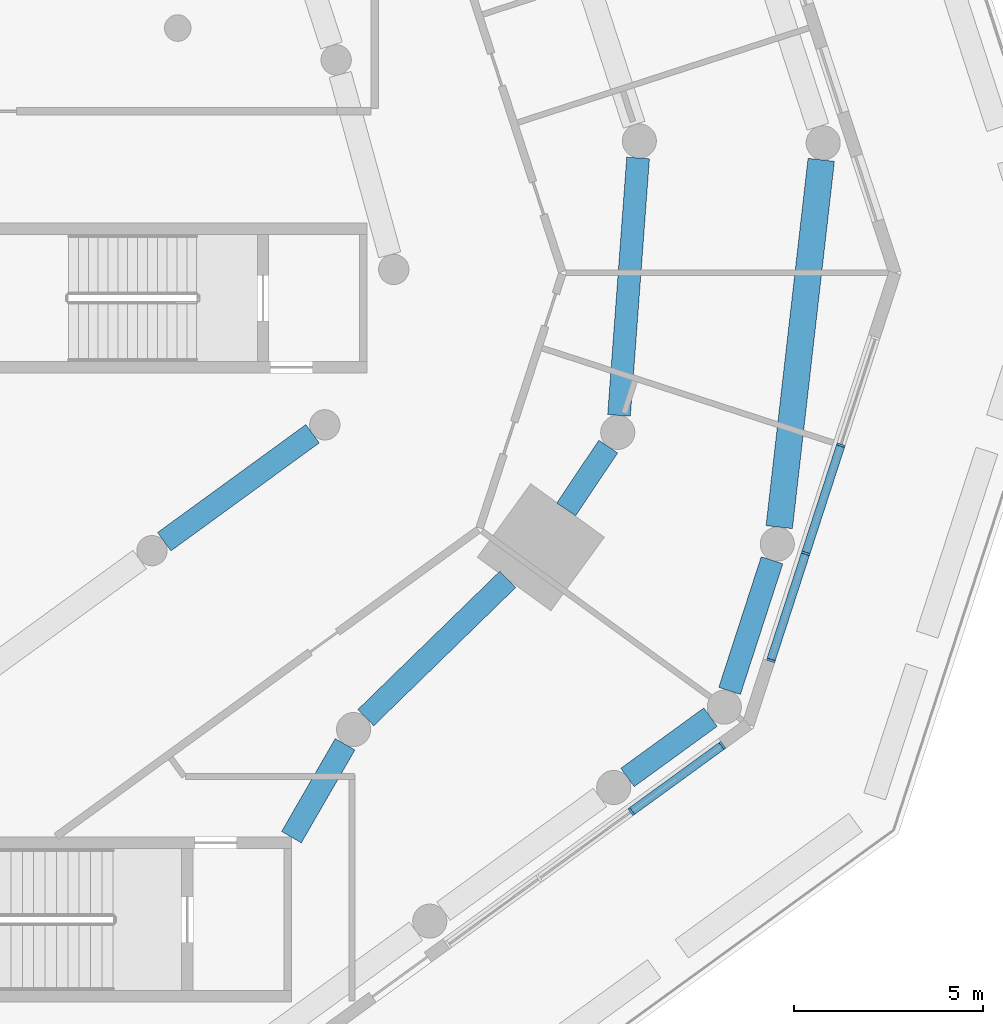
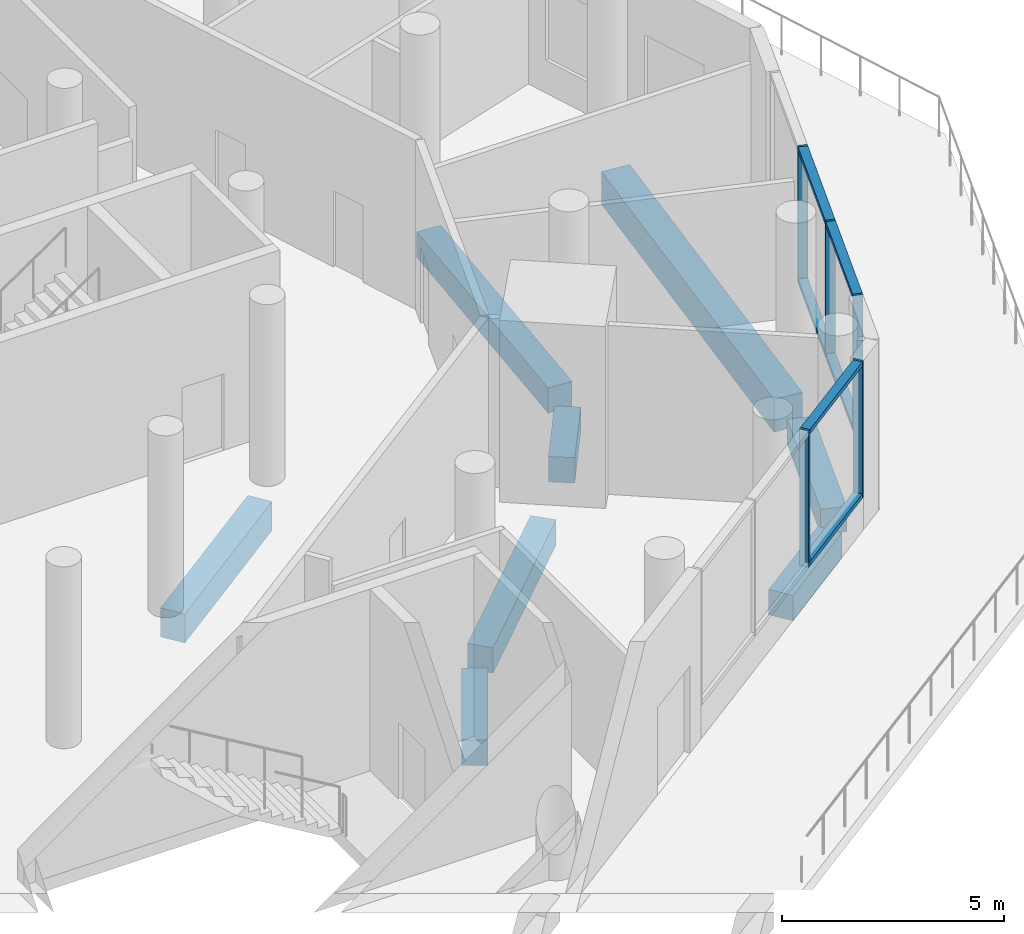
# One storey, part 5 of 19: 11 members, 8 beams, 2 elements without a shape of their own.
"""IFC4 building model written with IfcOpenShell, lengths in metres."""

from ifc_helpers import new_model, si_unit, direction, frame, origin, origin_2d, place, context, subcontext, project, spatial, rectangle, extrude, material, material_profile, profile_set, type_object, element, aggregate, save


model = new_model("IFC4")

# Units and contexts
model_context = context("Model", 3, precision=1e-05, world=origin(), true_north=direction((0.0, 1.0)))
body_context = subcontext(model_context, "Body", "Model", "MODEL_VIEW")
ifc_project = project(units=[si_unit("LENGTHUNIT", "METRE"), si_unit("AREAUNIT", "SQUARE_METRE"), si_unit("VOLUMEUNIT", "CUBIC_METRE"), si_unit("PLANEANGLEUNIT", "RADIAN"), si_unit("MASSUNIT", "GRAM", prefix="KILO")], contexts=[model_context])

# Site, building, storey
site_placement = place(None, origin())
site = spatial("IfcSite", under=ifc_project, at=site_placement, CompositionType="ELEMENT")
building_placement = place(site_placement, origin())
building = spatial("IfcBuilding", under=site, at=building_placement, Name="White Candle Pilgrim Tower", CompositionType="ELEMENT")
storey_placement = place(building_placement, frame((0.0, 0.0, 29.0)))
storey = spatial("IfcBuildingStorey", under=building, at=storey_placement, Name="L04", CompositionType="ELEMENT", Elevation=29.0)

# Curtain wall, members
ifc_material_1 = material(Name="Aluminium and glass", Category="aluminium")
curtain_wall_type = type_object("IfcCurtainWallType", Name="Curtain wall CW3 refectory and meeting glazing", PredefinedType="NOTDEFINED", material=ifc_material_1)
curtain_wall_1_placement = place(storey_placement, origin())
curtain_wall_1 = element("IfcCurtainWall", 1, at=curtain_wall_1_placement, inside=storey, type_object=curtain_wall_type, Name="Curtain wall CW3 L04 SE", PredefinedType="NOTDEFINED")
ifc_material_2 = material(Name="Aluminium", Category="aluminium")
ifc_material_profile_1 = material_profile(ifc_material_2, rectangle(XDim=0.22509765625, YDim=0.06005859375, at=origin_2d()), Name="CW3 mullion 60x225")
ifc_profile_set_1 = profile_set([ifc_material_profile_1], Name="Aluminium")
member_type_1 = type_object("IfcMemberType", Name="CW3 mullion 60x225", PredefinedType="MULLION", material=ifc_profile_set_1)
member_1_placement = place(storey_placement, frame((93.966796875, 46.32421875, 0.89990234375), z_axis=(0.0, 0.0, 1.0), x_axis=(-0.587785250217, 0.809016995883, 0.0)))
member_1 = element("IfcMember", 2, at=member_1_placement, type_object=member_type_1, Name="CW3 mullion 3", PredefinedType="MULLION", context=body_context, shape_type="SweptSolid", body=[
    extrude(rectangle(XDim=0.22509765625, YDim=0.06005859375, at=origin_2d()), origin(), (0.0, 0.0, 1.0), 3.75),
])
member_2_placement = place(storey_placement, frame((96.36962890625, 48.06982421875, 0.89990234375), z_axis=(0.0, 0.0, 1.0), x_axis=(-0.587785250217, 0.809016995883, 0.0)))
member_2 = element("IfcMember", 3, at=member_2_placement, type_object=member_type_1, Name="CW3 mullion 4", PredefinedType="MULLION", context=body_context, shape_type="SweptSolid", body=[
    extrude(rectangle(XDim=0.22509765625, YDim=0.06005859375, at=origin_2d()), origin(), (0.0, 0.0, 1.0), 3.75),
])

curtain_wall_2_placement = place(storey_placement, origin())
curtain_wall_2 = element("IfcCurtainWall", 4, at=curtain_wall_2_placement, inside=storey, type_object=curtain_wall_type, Name="Curtain wall CW3 L04 E chamfer", PredefinedType="NOTDEFINED")
member_3_placement = place(storey_placement, frame((97.651123046875, 50.315673828125, 0.89990234375), z_axis=(0.0, 0.0, 1.0), x_axis=(-0.951056528263, 0.309016957542, 0.0)))
member_3 = element("IfcMember", 5, at=member_3_placement, type_object=member_type_1, Name="CW3 mullion 1", PredefinedType="MULLION", context=body_context, shape_type="SweptSolid", body=[
    extrude(rectangle(XDim=0.22509765625, YDim=0.06005859375, at=origin_2d()), origin(), (0.0, 0.0, 1.0), 3.75),
])
member_4_placement = place(storey_placement, frame((98.56884765625, 53.14013671875, 0.89990234375), z_axis=(0.0, 0.0, 1.0), x_axis=(-0.951056528263, 0.309016957542, 0.0)))
member_4 = element("IfcMember", 6, at=member_4_placement, type_object=member_type_1, Name="CW3 mullion 2", PredefinedType="MULLION", context=body_context, shape_type="SweptSolid", body=[
    extrude(rectangle(XDim=0.22509765625, YDim=0.06005859375, at=origin_2d()), origin(), (0.0, 0.0, 1.0), 3.75),
])
member_5_placement = place(storey_placement, frame((99.495849609375, 55.993408203125, 0.89990234375), z_axis=(0.0, 0.0, 1.0), x_axis=(-0.951056528263, 0.309016957542, 0.0)))
member_5 = element("IfcMember", 7, at=member_5_placement, type_object=member_type_1, Name="CW3 mullion 3", PredefinedType="MULLION", context=body_context, shape_type="SweptSolid", body=[
    extrude(rectangle(XDim=0.22509765625, YDim=0.06005859375, at=origin_2d()), origin(), (0.0, 0.0, 1.0), 3.75),
])

# Member
ifc_material_profile_2 = material_profile(ifc_material_2, rectangle(XDim=0.22509765625, YDim=0.1201171875, at=origin_2d()), Name="CW3 transom 120x225")
ifc_profile_set_2 = profile_set([ifc_material_profile_2], Name="Aluminium")
member_type_2 = type_object("IfcMemberType", Name="CW3 transom 120x225", PredefinedType="USERDEFINED", material=ifc_profile_set_2)
member_6_placement = place(storey_placement, frame((93.9912109375, 46.341796875, 0.9599609375), z_axis=(0.809018973085, 0.587782528822, 0.0), x_axis=(-0.587782528822, 0.809018973085, 0.0)))
member_6 = element("IfcMember", 8, at=member_6_placement, type_object=member_type_2, Name="CW3 transom 3.1", ObjectType="TRANSOM", PredefinedType="USERDEFINED", context=body_context, shape_type="SweptSolid", body=[
    extrude(rectangle(XDim=0.22509765625, YDim=0.1201171875, at=origin_2d()), origin(), (0.0, 0.0, 1.0), 2.909912109375),
])

member_7_placement = place(storey_placement, frame((93.9912109375, 46.341796875, 4.590087890625), z_axis=(0.809018973085, 0.587782528822, 0.0), x_axis=(-0.587782528822, 0.809018973085, 0.0)))
member_7 = element("IfcMember", 9, at=member_7_placement, type_object=member_type_2, Name="CW3 transom 3.2", ObjectType="TRANSOM", PredefinedType="USERDEFINED", context=body_context, shape_type="SweptSolid", body=[
    extrude(rectangle(XDim=0.22509765625, YDim=0.1201171875, at=origin_2d()), origin(), (0.0, 0.0, 1.0), 2.909912109375),
])

aggregate(curtain_wall_1, [member_1, member_2, member_6, member_7])

member_8_placement = place(storey_placement, frame((97.660400390625, 50.34423828125, 0.9599609375), z_axis=(0.308995011864, 0.951063658565, 0.0), x_axis=(-0.951063658565, 0.308995011864, 0.0)))
member_8 = element("IfcMember", 10, at=member_8_placement, type_object=member_type_2, Name="CW3 transom 1.1", ObjectType="TRANSOM", PredefinedType="USERDEFINED", context=body_context, shape_type="SweptSolid", body=[
    extrude(rectangle(XDim=0.22509765625, YDim=0.1201171875, at=origin_2d()), origin(), (0.0, 0.0, 1.0), 2.909912109375),
])

member_9_placement = place(storey_placement, frame((97.660400390625, 50.34423828125, 4.590087890625), z_axis=(0.308995011864, 0.951063658565, 0.0), x_axis=(-0.951063658565, 0.308995011864, 0.0)))
member_9 = element("IfcMember", 11, at=member_9_placement, type_object=member_type_2, Name="CW3 transom 1.2", ObjectType="TRANSOM", PredefinedType="USERDEFINED", context=body_context, shape_type="SweptSolid", body=[
    extrude(rectangle(XDim=0.22509765625, YDim=0.1201171875, at=origin_2d()), origin(), (0.0, 0.0, 1.0), 2.909912109375),
])

member_10_placement = place(storey_placement, frame((98.578125, 53.168701171875, 0.9599609375), z_axis=(0.30899406435, 0.951063966406, 0.0), x_axis=(-0.951063966406, 0.30899406435, 0.0)))
member_10 = element("IfcMember", 12, at=member_10_placement, type_object=member_type_2, Name="CW3 transom 2.1", ObjectType="TRANSOM", PredefinedType="USERDEFINED", context=body_context, shape_type="SweptSolid", body=[
    extrude(rectangle(XDim=0.22509765625, YDim=0.1201171875, at=origin_2d()), origin(), (0.0, 0.0, 1.0), 2.93994140625),
])

member_11_placement = place(storey_placement, frame((98.578125, 53.168701171875, 4.590087890625), z_axis=(0.30899406435, 0.951063966406, 0.0), x_axis=(-0.951063966406, 0.30899406435, 0.0)))
member_11 = element("IfcMember", 13, at=member_11_placement, type_object=member_type_2, Name="CW3 transom 2.2", ObjectType="TRANSOM", PredefinedType="USERDEFINED", context=body_context, shape_type="SweptSolid", body=[
    extrude(rectangle(XDim=0.22509765625, YDim=0.1201171875, at=origin_2d()), origin(), (0.0, 0.0, 1.0), 2.93994140625),
])

aggregate(curtain_wall_2, [member_3, member_4, member_5, member_8, member_9, member_10, member_11])

# Beams
ifc_material_3 = material(Name="Concrete C50/60", Category="concrete")
ifc_material_profile_3 = material_profile(ifc_material_3, rectangle(XDim=0.60009765625, YDim=0.800048828125, at=origin_2d()), Name="RC-BM 600x800")
ifc_profile_set_3 = profile_set([ifc_material_profile_3], Name="Concrete C50/60")
beam_type_1 = type_object("IfcBeamType", Name="Ring beam RC-BM 600x800 C50/60", PredefinedType="BEAM", material=ifc_profile_set_3)
beam_1_placement = place(storey_placement, frame((81.643310546875, 53.4453125, -0.75), z_axis=(0.808428473545, 0.588594430115, 0.0), x_axis=(-0.588594430115, 0.808428473545, 0.0)))
element("IfcBeam", 14, at=beam_1_placement, inside=storey, type_object=beam_type_1, Name="L04 ring beam R07", PredefinedType="BEAM", context=body_context, shape_type="SweptSolid", body=[
    extrude(rectangle(XDim=0.60009765625, YDim=0.800048828125, at=origin_2d()), origin(), (0.0, 0.0, 1.0), 4.841064453125),
])
ifc_material_profile_4 = material_profile(ifc_material_3, rectangle(XDim=0.60009765625, YDim=0.699951171875, at=origin_2d()), Name="RC-BM 600x700")
ifc_profile_set_4 = profile_set([ifc_material_profile_4], Name="Concrete C50/60")
beam_type_2 = type_object("IfcBeamType", Name="Spandrel beam RC-BM 600x700 C50/60", PredefinedType="BEAM", material=ifc_profile_set_4)
beam_2_placement = place(storey_placement, frame((86.4150390625, 48.100341796875, -0.699951171875), z_axis=(-0.500073465784, -0.865982984139, 0.0), x_axis=(0.865982984139, -0.500073465784, 0.0)))
element("IfcBeam", 15, at=beam_2_placement, inside=storey, type_object=beam_type_2, Name="L04 spandrel beam T05", PredefinedType="BEAM", context=body_context, shape_type="SweptSolid", body=[
    extrude(rectangle(XDim=0.60009765625, YDim=0.699951171875, at=origin_2d()), origin(), (0.0, 0.0, 1.0), 2.82958984375),
])
beam_3_placement = place(storey_placement, frame((86.96240234375, 48.8037109375, -0.699951171875), z_axis=(0.716431871675, 0.697657059914, 0.0), x_axis=(-0.697657059914, 0.716431871675, 0.0)))
element("IfcBeam", 16, at=beam_3_placement, inside=storey, type_object=beam_type_2, Name="L04 spandrel beam T06", PredefinedType="BEAM", context=body_context, shape_type="SweptSolid", body=[
    extrude(rectangle(XDim=0.60009765625, YDim=0.699951171875, at=origin_2d()), origin(), (0.0, 0.0, 1.0), 5.2275390625),
])
beam_4_placement = place(storey_placement, frame((92.248291015625, 54.297607421875, -0.699951171875), z_axis=(0.556617573138, 0.830768847077, 0.0), x_axis=(-0.830768847077, 0.556617573138, 0.0)))
element("IfcBeam", 17, at=beam_4_placement, inside=storey, type_object=beam_type_2, Name="L04 spandrel beam T07", PredefinedType="BEAM", context=body_context, shape_type="SweptSolid", body=[
    extrude(rectangle(XDim=0.60009765625, YDim=0.699951171875, at=origin_2d()), origin(), (0.0, 0.0, 1.0), 1.99658203125),
])
beam_5_placement = place(storey_placement, frame((93.643310546875, 56.77880859375, -0.699951171875), z_axis=(0.073911295307, 0.997264819607, 0.0), x_axis=(-0.997264819607, 0.073911295307, 0.0)))
element("IfcBeam", 18, at=beam_5_placement, inside=storey, type_object=beam_type_2, Name="L04 spandrel beam T08", PredefinedType="BEAM", context=body_context, shape_type="SweptSolid", body=[
    extrude(rectangle(XDim=0.60009765625, YDim=0.699951171875, at=origin_2d()), origin(), (0.0, 0.0, 1.0), 6.81103515625),
])
beam_6_placement = place(storey_placement, frame((93.867919921875, 47.225341796875, -0.699951171875), z_axis=(0.809008975915, 0.587796288598, 0.0), x_axis=(-0.587796288598, 0.809008975915, 0.0)))
element("IfcBeam", 19, at=beam_6_placement, inside=storey, type_object=beam_type_2, Name="L04 spandrel beam C13", PredefinedType="BEAM", context=body_context, shape_type="SweptSolid", body=[
    extrude(rectangle(XDim=0.60009765625, YDim=0.699951171875, at=origin_2d()), origin(), (0.0, 0.0, 1.0), 2.707275390625),
])
beam_7_placement = place(storey_placement, frame((96.56103515625, 49.5087890625, -0.699951171875), z_axis=(0.308944435163, 0.951080089152, 0.0), x_axis=(-0.951080089152, 0.308944435163, 0.0)))
element("IfcBeam", 20, at=beam_7_placement, inside=storey, type_object=beam_type_2, Name="L04 spandrel beam C14", PredefinedType="BEAM", context=body_context, shape_type="SweptSolid", body=[
    extrude(rectangle(XDim=0.60009765625, YDim=0.699951171875, at=origin_2d()), origin(), (0.0, 0.0, 1.0), 3.624755859375),
])
ifc_material_profile_5 = material_profile(ifc_material_3, rectangle(XDim=0.699951171875, YDim=0.89990234375, at=origin_2d()), Name="RC-BM 700x900")
ifc_profile_set_5 = profile_set([ifc_material_profile_5], Name="Concrete C50/60")
beam_type_3 = type_object("IfcBeamType", Name="Spandrel beam RC-BM 700x900 C50/60", PredefinedType="BEAM", material=ifc_profile_set_5)
beam_8_placement = place(storey_placement, frame((97.87109375, 53.830810546875, -0.800048828125), z_axis=(0.113579061518, 0.993528961221, 0.0), x_axis=(-0.993528961221, 0.113579061518, 0.0)))
element("IfcBeam", 21, at=beam_8_placement, inside=storey, type_object=beam_type_3, Name="L04 spandrel beam C15", PredefinedType="BEAM", context=body_context, shape_type="SweptSolid", body=[
    extrude(rectangle(XDim=0.699951171875, YDim=0.89990234375, at=origin_2d()), origin(), (0.0, 0.0, 1.0), 9.754638671875),
])

save(model, "model.ifc")
